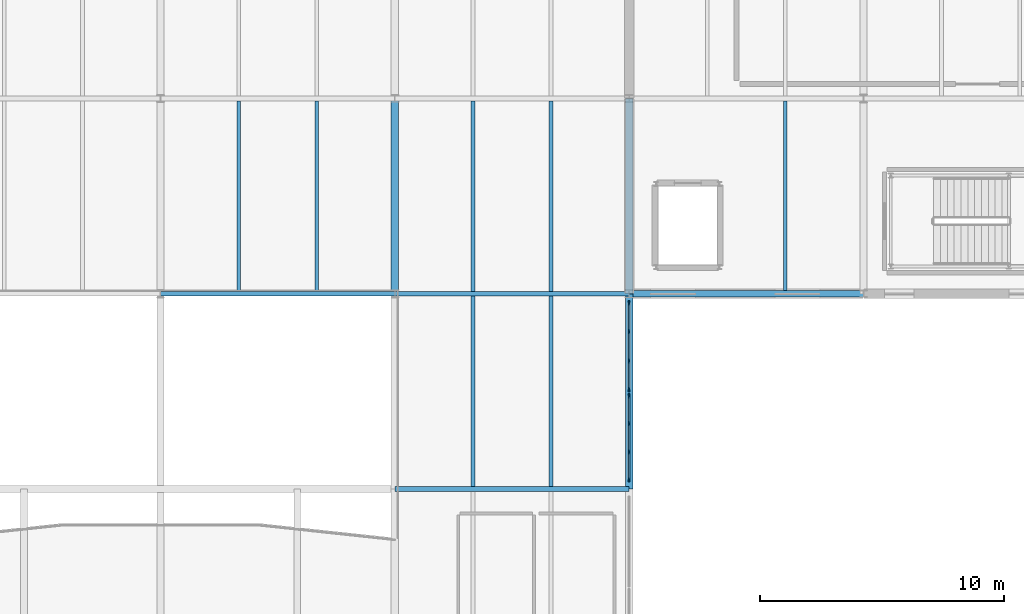
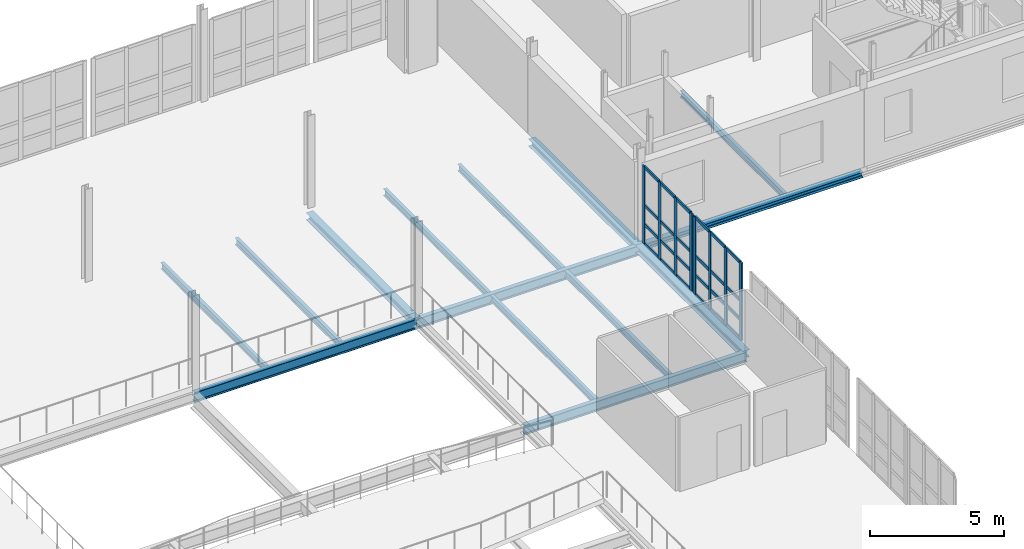
# One storey, part 35 of 73: 32 members, 14 beams, 2 elements without a shape of their own.
"""IFC4 building model written with IfcOpenShell, lengths in metres."""

from ifc_helpers import new_model, si_unit, direction, frame, origin, origin_2d, place, context, subcontext, project, spatial, rectangle, i_section, extrude, material, layer, layer_set, material_profile, profile_set, type_object, element, aggregate, save


model = new_model("IFC4")

# Units and contexts
model_context = context("Model", 3, precision=1e-05, world=origin(), true_north=direction((0.0, 1.0)))
body_context = subcontext(model_context, "Body", "Model", "MODEL_VIEW")
ifc_project = project(units=[si_unit("LENGTHUNIT", "METRE"), si_unit("AREAUNIT", "SQUARE_METRE"), si_unit("VOLUMEUNIT", "CUBIC_METRE"), si_unit("PLANEANGLEUNIT", "RADIAN"), si_unit("MASSUNIT", "GRAM", prefix="KILO")], contexts=[model_context])

# Site, building, storey
site_placement = place(None, origin())
site = spatial("IfcSite", under=ifc_project, at=site_placement, CompositionType="ELEMENT")
building_placement = place(site_placement, origin())
building = spatial("IfcBuilding", under=site, at=building_placement, Name="Alderhovde Museum", CompositionType="ELEMENT")
storey_placement = place(building_placement, frame((0.0, 0.0, 12.89990234375)))
storey = spatial("IfcBuildingStorey", under=building, at=storey_placement, Name="L03", CompositionType="ELEMENT", Elevation=12.89990234375)

# Beams
ifc_material_1 = material(Name="Steel S355J2", Category="steel")
ifc_material_profile_1 = material_profile(ifc_material_1, i_section(OverallWidth=0.300048828125, OverallDepth=0.330078125, WebThickness=0.009521484375, FlangeThickness=0.0166015625, FilletRadius=0.027099609375, at=origin_2d()), Name="HEA 340")
ifc_profile_set_1 = profile_set([ifc_material_profile_1], Name="Steel S355J2")
beam_type_1 = type_object("IfcBeamType", Name="BM-HEA340", PredefinedType="BEAM", material=ifc_profile_set_1)
for number, where, z_axis, x_axis, name in (
    (1, (105.60009765625, 72.0, -0.4248046875), (0.0, 1.0, 0.0), (-1.0, 0.0, 0.0), "L03 Grid Beam X=105.6 (72.0 TO 80.0)"),
    (2, (115.199951171875, 64.0, -0.4248046875), (0.0, 1.0, 0.0), (-1.0, 0.0, 0.0), "L03 Grid Beam X=115.2 (64.0 TO 72.0)"),
    (3, (115.199951171875, 72.0, -0.4248046875), (0.0, 1.0, 0.0), (-1.0, 0.0, 0.0), "L03 Grid Beam X=115.2 (72.0 TO 80.0)"),
):
    element("IfcBeam", number, at=place(storey_placement, frame(where, z_axis=z_axis, x_axis=x_axis)), inside=storey, type_object=beam_type_1, Name=name, PredefinedType="BEAM", context=body_context, shape_type="SweptSolid", body=[
        extrude(i_section(OverallWidth=0.300048828125, OverallDepth=0.330078125, WebThickness=0.009521484375, FlangeThickness=0.0166015625, FilletRadius=0.027099609375, at=origin_2d()), origin(), (0.0, 0.0, 1.0), 8.0),
    ])
ifc_material_2 = material(Name="Steel S355J2", Category="steel")
ifc_material_profile_2 = material_profile(ifc_material_2, i_section(OverallWidth=0.18994140625, OverallDepth=0.449951171875, WebThickness=0.009521484375, FlangeThickness=0.0146484375, FilletRadius=0.02099609375, at=origin_2d()), Name="IPE 450")
ifc_profile_set_2 = profile_set([ifc_material_profile_2], Name="Steel S355J2")
beam_type_2 = type_object("IfcBeamType", Name="BM-IPE450", PredefinedType="BEAM", material=ifc_profile_set_2)
beam_1_placement = place(storey_placement, frame((105.60009765625, 64.0, -0.48486328125), z_axis=(1.0, 0.0, 0.0), x_axis=(0.0, 1.0, 0.0)))
element("IfcBeam", 4, at=beam_1_placement, inside=storey, type_object=beam_type_2, Name="L03 Grid Beam Y=64.0 (105.6 TO 115.2)", PredefinedType="BEAM", context=body_context, shape_type="SweptSolid", body=[
    extrude(i_section(OverallWidth=0.18994140625, OverallDepth=0.449951171875, WebThickness=0.009521484375, FlangeThickness=0.0146484375, FilletRadius=0.02099609375, at=origin_2d()), origin(), (0.0, 0.0, 1.0), 9.599853515625),
])
beam_2_placement = place(storey_placement, frame((96.0, 72.0, -0.48486328125), z_axis=(1.0, 0.0, 0.0), x_axis=(0.0, 1.0, 0.0)))
element("IfcBeam", 5, at=beam_2_placement, inside=storey, type_object=beam_type_2, Name="L03 Grid Beam Y=72.0 (96.0 TO 105.6)", PredefinedType="BEAM", context=body_context, shape_type="SweptSolid", body=[
    extrude(i_section(OverallWidth=0.18994140625, OverallDepth=0.449951171875, WebThickness=0.009521484375, FlangeThickness=0.0146484375, FilletRadius=0.02099609375, at=origin_2d()), origin(), (0.0, 0.0, 1.0), 9.60009765625),
])
beam_3_placement = place(storey_placement, frame((105.60009765625, 72.0, -0.48486328125), z_axis=(1.0, 0.0, 0.0), x_axis=(0.0, 1.0, 0.0)))
element("IfcBeam", 6, at=beam_3_placement, inside=storey, type_object=beam_type_2, Name="L03 Grid Beam Y=72.0 (105.6 TO 115.2)", PredefinedType="BEAM", context=body_context, shape_type="SweptSolid", body=[
    extrude(i_section(OverallWidth=0.18994140625, OverallDepth=0.449951171875, WebThickness=0.009521484375, FlangeThickness=0.0146484375, FilletRadius=0.02099609375, at=origin_2d()), origin(), (0.0, 0.0, 1.0), 9.599853515625),
])

# Curtain wall, members
ifc_material_3 = material(Name="Triple-Glazed Bronze-Anodised Curtain Wall", Category="glass")
ifc_layer_1 = layer(ifc_material_3, 0.179931640625)
ifc_layer_set_1 = layer_set([ifc_layer_1], Name="Triple-Glazed Bronze-Anodised Curtain Wall")
curtain_wall_type_1 = type_object("IfcCurtainWallType", Name="CW-UNIT-350x354", PredefinedType="USERDEFINED", material=ifc_layer_set_1)
curtain_wall_1_placement = place(storey_placement, origin())
curtain_wall_1 = element("IfcCurtainWall", 7, at=curtain_wall_1_placement, inside=storey, type_object=curtain_wall_type_1, Name="L03 Unitised Curtain Wall 76", ObjectType="UNITISED CURTAIN WALL", PredefinedType="USERDEFINED")
ifc_material_4 = material(Name="Bronze-Anodised Aluminium EN AW-6063-T6", Category="aluminium")
ifc_material_profile_3 = material_profile(ifc_material_4, rectangle(XDim=0.06494140625, YDim=0.179931640625, at=origin_2d()), Name="MULLION 65x180")
ifc_profile_set_3 = profile_set([ifc_material_profile_3], Name="Bronze-Anodised Aluminium EN AW-6063-T6")
member_type_1 = type_object("IfcMemberType", Name="CWM-65x180", PredefinedType="MULLION", material=ifc_profile_set_3)
member_1_placement = place(storey_placement, frame((115.199951171875, 64.382568359375, 0.0), z_axis=(0.0, 0.0, 1.0), x_axis=(-1.0, 0.0, 0.0)))
member_1 = element("IfcMember", 8, at=member_1_placement, type_object=member_type_1, Name="CW19 mullion 1", PredefinedType="MULLION", context=body_context, shape_type="SweptSolid", body=[
    extrude(rectangle(XDim=0.06494140625, YDim=0.179931640625, at=origin_2d()), origin(), (0.0, 0.0, 1.0), 3.5400390625),
])
member_2_placement = place(storey_placement, frame((115.199951171875, 65.5166015625, 0.0), z_axis=(0.0, 0.0, 1.0), x_axis=(-1.0, 0.0, 0.0)))
member_2 = element("IfcMember", 9, at=member_2_placement, type_object=member_type_1, Name="CW19 mullion 2", PredefinedType="MULLION", context=body_context, shape_type="SweptSolid", body=[
    extrude(rectangle(XDim=0.06494140625, YDim=0.179931640625, at=origin_2d()), origin(), (0.0, 0.0, 1.0), 3.5400390625),
])
member_3_placement = place(storey_placement, frame((115.199951171875, 66.683349609375, 0.0), z_axis=(0.0, 0.0, 1.0), x_axis=(-1.0, 0.0, 0.0)))
member_3 = element("IfcMember", 10, at=member_3_placement, type_object=member_type_1, Name="CW19 mullion 3", PredefinedType="MULLION", context=body_context, shape_type="SweptSolid", body=[
    extrude(rectangle(XDim=0.06494140625, YDim=0.179931640625, at=origin_2d()), origin(), (0.0, 0.0, 1.0), 3.5400390625),
])
member_4_placement = place(storey_placement, frame((115.199951171875, 67.8173828125, 0.0), z_axis=(0.0, 0.0, 1.0), x_axis=(-1.0, 0.0, 0.0)))
member_4 = element("IfcMember", 11, at=member_4_placement, type_object=member_type_1, Name="CW19 mullion 4", PredefinedType="MULLION", context=body_context, shape_type="SweptSolid", body=[
    extrude(rectangle(XDim=0.06494140625, YDim=0.179931640625, at=origin_2d()), origin(), (0.0, 0.0, 1.0), 3.5400390625),
])

ifc_material_5 = material(Name="Triple-Glazed Bronze-Anodised Curtain Wall", Category="glass")
ifc_layer_2 = layer(ifc_material_5, 0.179931640625)
ifc_layer_set_2 = layer_set([ifc_layer_2], Name="Triple-Glazed Bronze-Anodised Curtain Wall")
curtain_wall_type_2 = type_object("IfcCurtainWallType", Name="CW-UNIT-360x354", PredefinedType="USERDEFINED", material=ifc_layer_set_2)
curtain_wall_2_placement = place(storey_placement, origin())
curtain_wall_2 = element("IfcCurtainWall", 12, at=curtain_wall_2_placement, inside=storey, type_object=curtain_wall_type_2, Name="L03 Unitised Curtain Wall 77", ObjectType="UNITISED CURTAIN WALL", PredefinedType="USERDEFINED")
member_5_placement = place(storey_placement, frame((115.199951171875, 68.08251953125, 0.0), z_axis=(0.0, 0.0, 1.0), x_axis=(-1.0, 0.0, 0.0)))
member_5 = element("IfcMember", 13, at=member_5_placement, type_object=member_type_1, Name="CW20 mullion 1", PredefinedType="MULLION", context=body_context, shape_type="SweptSolid", body=[
    extrude(rectangle(XDim=0.06494140625, YDim=0.179931640625, at=origin_2d()), origin(), (0.0, 0.0, 1.0), 3.5400390625),
])
member_6_placement = place(storey_placement, frame((115.199951171875, 69.25, 0.0), z_axis=(0.0, 0.0, 1.0), x_axis=(-1.0, 0.0, 0.0)))
member_6 = element("IfcMember", 14, at=member_6_placement, type_object=member_type_1, Name="CW20 mullion 2", PredefinedType="MULLION", context=body_context, shape_type="SweptSolid", body=[
    extrude(rectangle(XDim=0.06494140625, YDim=0.179931640625, at=origin_2d()), origin(), (0.0, 0.0, 1.0), 3.5400390625),
])
member_7_placement = place(storey_placement, frame((115.199951171875, 70.449951171875, 0.0), z_axis=(0.0, 0.0, 1.0), x_axis=(-1.0, 0.0, 0.0)))
member_7 = element("IfcMember", 15, at=member_7_placement, type_object=member_type_1, Name="CW20 mullion 3", PredefinedType="MULLION", context=body_context, shape_type="SweptSolid", body=[
    extrude(rectangle(XDim=0.06494140625, YDim=0.179931640625, at=origin_2d()), origin(), (0.0, 0.0, 1.0), 3.5400390625),
])
member_8_placement = place(storey_placement, frame((115.199951171875, 71.617431640625, 0.0), z_axis=(0.0, 0.0, 1.0), x_axis=(-1.0, 0.0, 0.0)))
member_8 = element("IfcMember", 16, at=member_8_placement, type_object=member_type_1, Name="CW20 mullion 4", PredefinedType="MULLION", context=body_context, shape_type="SweptSolid", body=[
    extrude(rectangle(XDim=0.06494140625, YDim=0.179931640625, at=origin_2d()), origin(), (0.0, 0.0, 1.0), 3.5400390625),
])

# Member
ifc_material_6 = material(Name="Bronze-Anodised Aluminium EN AW-6063-T6", Category="aluminium")
ifc_material_profile_4 = material_profile(ifc_material_6, rectangle(XDim=0.06494140625, YDim=0.139892578125, at=origin_2d()), Name="TRANSOM 65x140")
ifc_profile_set_4 = profile_set([ifc_material_profile_4], Name="Bronze-Anodised Aluminium EN AW-6063-T6")
member_type_2 = type_object("IfcMemberType", Name="CWT-65x140", PredefinedType="USERDEFINED", material=ifc_profile_set_4)
member_9_placement = place(storey_placement, frame((115.199951171875, 64.4150390625, 0.03271484375), z_axis=(0.0, 1.0, 0.0), x_axis=(-1.0, 0.0, 0.0)))
member_9 = element("IfcMember", 17, at=member_9_placement, type_object=member_type_2, Name="CW19 transom 1.1", ObjectType="TRANSOM", PredefinedType="USERDEFINED", context=body_context, shape_type="SweptSolid", body=[
    extrude(rectangle(XDim=0.06494140625, YDim=0.139892578125, at=origin_2d()), origin(), (0.0, 0.0, 1.0), 1.069091796875),
])

member_10_placement = place(storey_placement, frame((115.199951171875, 64.4150390625, 0.900146484375), z_axis=(0.0, 1.0, 0.0), x_axis=(-1.0, 0.0, 0.0)))
member_10 = element("IfcMember", 18, at=member_10_placement, type_object=member_type_2, Name="CW19 transom 1.2", ObjectType="TRANSOM", PredefinedType="USERDEFINED", context=body_context, shape_type="SweptSolid", body=[
    extrude(rectangle(XDim=0.06494140625, YDim=0.139892578125, at=origin_2d()), origin(), (0.0, 0.0, 1.0), 1.069091796875),
])

member_11_placement = place(storey_placement, frame((115.199951171875, 64.4150390625, 1.77001953125), z_axis=(0.0, 1.0, 0.0), x_axis=(-1.0, 0.0, 0.0)))
member_11 = element("IfcMember", 19, at=member_11_placement, type_object=member_type_2, Name="CW19 transom 1.3", ObjectType="TRANSOM", PredefinedType="USERDEFINED", context=body_context, shape_type="SweptSolid", body=[
    extrude(rectangle(XDim=0.06494140625, YDim=0.139892578125, at=origin_2d()), origin(), (0.0, 0.0, 1.0), 1.069091796875),
])

member_12_placement = place(storey_placement, frame((115.199951171875, 64.4150390625, 3.507568359375), z_axis=(0.0, 1.0, 0.0), x_axis=(-1.0, 0.0, 0.0)))
member_12 = element("IfcMember", 20, at=member_12_placement, type_object=member_type_2, Name="CW19 transom 1.4", ObjectType="TRANSOM", PredefinedType="USERDEFINED", context=body_context, shape_type="SweptSolid", body=[
    extrude(rectangle(XDim=0.06494140625, YDim=0.139892578125, at=origin_2d()), origin(), (0.0, 0.0, 1.0), 1.069091796875),
])

member_13_placement = place(storey_placement, frame((115.199951171875, 65.549072265625, 0.03271484375), z_axis=(0.0, 1.0, 0.0), x_axis=(-1.0, 0.0, 0.0)))
member_13 = element("IfcMember", 21, at=member_13_placement, type_object=member_type_2, Name="CW19 transom 2.1", ObjectType="TRANSOM", PredefinedType="USERDEFINED", context=body_context, shape_type="SweptSolid", body=[
    extrude(rectangle(XDim=0.06494140625, YDim=0.139892578125, at=origin_2d()), origin(), (0.0, 0.0, 1.0), 1.101806640625),
])

member_14_placement = place(storey_placement, frame((115.199951171875, 65.549072265625, 0.900146484375), z_axis=(0.0, 1.0, 0.0), x_axis=(-1.0, 0.0, 0.0)))
member_14 = element("IfcMember", 22, at=member_14_placement, type_object=member_type_2, Name="CW19 transom 2.2", ObjectType="TRANSOM", PredefinedType="USERDEFINED", context=body_context, shape_type="SweptSolid", body=[
    extrude(rectangle(XDim=0.06494140625, YDim=0.139892578125, at=origin_2d()), origin(), (0.0, 0.0, 1.0), 1.101806640625),
])

member_15_placement = place(storey_placement, frame((115.199951171875, 65.549072265625, 1.77001953125), z_axis=(0.0, 1.0, 0.0), x_axis=(-1.0, 0.0, 0.0)))
member_15 = element("IfcMember", 23, at=member_15_placement, type_object=member_type_2, Name="CW19 transom 2.3", ObjectType="TRANSOM", PredefinedType="USERDEFINED", context=body_context, shape_type="SweptSolid", body=[
    extrude(rectangle(XDim=0.06494140625, YDim=0.139892578125, at=origin_2d()), origin(), (0.0, 0.0, 1.0), 1.101806640625),
])

member_16_placement = place(storey_placement, frame((115.199951171875, 65.549072265625, 3.507568359375), z_axis=(0.0, 1.0, 0.0), x_axis=(-1.0, 0.0, 0.0)))
member_16 = element("IfcMember", 24, at=member_16_placement, type_object=member_type_2, Name="CW19 transom 2.4", ObjectType="TRANSOM", PredefinedType="USERDEFINED", context=body_context, shape_type="SweptSolid", body=[
    extrude(rectangle(XDim=0.06494140625, YDim=0.139892578125, at=origin_2d()), origin(), (0.0, 0.0, 1.0), 1.101806640625),
])

member_17_placement = place(storey_placement, frame((115.199951171875, 66.7158203125, 0.03271484375), z_axis=(0.0, 1.0, 0.0), x_axis=(-1.0, 0.0, 0.0)))
member_17 = element("IfcMember", 25, at=member_17_placement, type_object=member_type_2, Name="CW19 transom 3.1", ObjectType="TRANSOM", PredefinedType="USERDEFINED", context=body_context, shape_type="SweptSolid", body=[
    extrude(rectangle(XDim=0.06494140625, YDim=0.139892578125, at=origin_2d()), origin(), (0.0, 0.0, 1.0), 1.069091796875),
])

member_18_placement = place(storey_placement, frame((115.199951171875, 66.7158203125, 0.900146484375), z_axis=(0.0, 1.0, 0.0), x_axis=(-1.0, 0.0, 0.0)))
member_18 = element("IfcMember", 26, at=member_18_placement, type_object=member_type_2, Name="CW19 transom 3.2", ObjectType="TRANSOM", PredefinedType="USERDEFINED", context=body_context, shape_type="SweptSolid", body=[
    extrude(rectangle(XDim=0.06494140625, YDim=0.139892578125, at=origin_2d()), origin(), (0.0, 0.0, 1.0), 1.069091796875),
])

member_19_placement = place(storey_placement, frame((115.199951171875, 66.7158203125, 1.77001953125), z_axis=(0.0, 1.0, 0.0), x_axis=(-1.0, 0.0, 0.0)))
member_19 = element("IfcMember", 27, at=member_19_placement, type_object=member_type_2, Name="CW19 transom 3.3", ObjectType="TRANSOM", PredefinedType="USERDEFINED", context=body_context, shape_type="SweptSolid", body=[
    extrude(rectangle(XDim=0.06494140625, YDim=0.139892578125, at=origin_2d()), origin(), (0.0, 0.0, 1.0), 1.069091796875),
])

member_20_placement = place(storey_placement, frame((115.199951171875, 66.7158203125, 3.507568359375), z_axis=(0.0, 1.0, 0.0), x_axis=(-1.0, 0.0, 0.0)))
member_20 = element("IfcMember", 28, at=member_20_placement, type_object=member_type_2, Name="CW19 transom 3.4", ObjectType="TRANSOM", PredefinedType="USERDEFINED", context=body_context, shape_type="SweptSolid", body=[
    extrude(rectangle(XDim=0.06494140625, YDim=0.139892578125, at=origin_2d()), origin(), (0.0, 0.0, 1.0), 1.069091796875),
])

aggregate(curtain_wall_1, [member_1, member_2, member_3, member_4, member_9, member_10, member_11, member_12, member_13, member_14, member_15, member_16, member_17, member_18, member_19, member_20])

member_21_placement = place(storey_placement, frame((115.199951171875, 68.114990234375, 0.03271484375), z_axis=(0.0, 1.0, 0.0), x_axis=(-1.0, 0.0, 0.0)))
member_21 = element("IfcMember", 29, at=member_21_placement, type_object=member_type_2, Name="CW20 transom 1.1", ObjectType="TRANSOM", PredefinedType="USERDEFINED", context=body_context, shape_type="SweptSolid", body=[
    extrude(rectangle(XDim=0.06494140625, YDim=0.139892578125, at=origin_2d()), origin(), (0.0, 0.0, 1.0), 1.1025390625),
])

member_22_placement = place(storey_placement, frame((115.199951171875, 68.114990234375, 0.900146484375), z_axis=(0.0, 1.0, 0.0), x_axis=(-1.0, 0.0, 0.0)))
member_22 = element("IfcMember", 30, at=member_22_placement, type_object=member_type_2, Name="CW20 transom 1.2", ObjectType="TRANSOM", PredefinedType="USERDEFINED", context=body_context, shape_type="SweptSolid", body=[
    extrude(rectangle(XDim=0.06494140625, YDim=0.139892578125, at=origin_2d()), origin(), (0.0, 0.0, 1.0), 1.1025390625),
])

member_23_placement = place(storey_placement, frame((115.199951171875, 68.114990234375, 1.77001953125), z_axis=(0.0, 1.0, 0.0), x_axis=(-1.0, 0.0, 0.0)))
member_23 = element("IfcMember", 31, at=member_23_placement, type_object=member_type_2, Name="CW20 transom 1.3", ObjectType="TRANSOM", PredefinedType="USERDEFINED", context=body_context, shape_type="SweptSolid", body=[
    extrude(rectangle(XDim=0.06494140625, YDim=0.139892578125, at=origin_2d()), origin(), (0.0, 0.0, 1.0), 1.1025390625),
])

member_24_placement = place(storey_placement, frame((115.199951171875, 68.114990234375, 3.507568359375), z_axis=(0.0, 1.0, 0.0), x_axis=(-1.0, 0.0, 0.0)))
member_24 = element("IfcMember", 32, at=member_24_placement, type_object=member_type_2, Name="CW20 transom 1.4", ObjectType="TRANSOM", PredefinedType="USERDEFINED", context=body_context, shape_type="SweptSolid", body=[
    extrude(rectangle(XDim=0.06494140625, YDim=0.139892578125, at=origin_2d()), origin(), (0.0, 0.0, 1.0), 1.1025390625),
])

member_25_placement = place(storey_placement, frame((115.199951171875, 69.282470703125, 0.03271484375), z_axis=(0.0, 1.0, 0.0), x_axis=(-1.0, 0.0, 0.0)))
member_25 = element("IfcMember", 33, at=member_25_placement, type_object=member_type_2, Name="CW20 transom 2.1", ObjectType="TRANSOM", PredefinedType="USERDEFINED", context=body_context, shape_type="SweptSolid", body=[
    extrude(rectangle(XDim=0.06494140625, YDim=0.139892578125, at=origin_2d()), origin(), (0.0, 0.0, 1.0), 1.135009765625),
])

member_26_placement = place(storey_placement, frame((115.199951171875, 69.282470703125, 0.900146484375), z_axis=(0.0, 1.0, 0.0), x_axis=(-1.0, 0.0, 0.0)))
member_26 = element("IfcMember", 34, at=member_26_placement, type_object=member_type_2, Name="CW20 transom 2.2", ObjectType="TRANSOM", PredefinedType="USERDEFINED", context=body_context, shape_type="SweptSolid", body=[
    extrude(rectangle(XDim=0.06494140625, YDim=0.139892578125, at=origin_2d()), origin(), (0.0, 0.0, 1.0), 1.135009765625),
])

member_27_placement = place(storey_placement, frame((115.199951171875, 69.282470703125, 1.77001953125), z_axis=(0.0, 1.0, 0.0), x_axis=(-1.0, 0.0, 0.0)))
member_27 = element("IfcMember", 35, at=member_27_placement, type_object=member_type_2, Name="CW20 transom 2.3", ObjectType="TRANSOM", PredefinedType="USERDEFINED", context=body_context, shape_type="SweptSolid", body=[
    extrude(rectangle(XDim=0.06494140625, YDim=0.139892578125, at=origin_2d()), origin(), (0.0, 0.0, 1.0), 1.135009765625),
])

member_28_placement = place(storey_placement, frame((115.199951171875, 69.282470703125, 3.507568359375), z_axis=(0.0, 1.0, 0.0), x_axis=(-1.0, 0.0, 0.0)))
member_28 = element("IfcMember", 36, at=member_28_placement, type_object=member_type_2, Name="CW20 transom 2.4", ObjectType="TRANSOM", PredefinedType="USERDEFINED", context=body_context, shape_type="SweptSolid", body=[
    extrude(rectangle(XDim=0.06494140625, YDim=0.139892578125, at=origin_2d()), origin(), (0.0, 0.0, 1.0), 1.135009765625),
])

member_29_placement = place(storey_placement, frame((115.199951171875, 70.482421875, 0.03271484375), z_axis=(0.0, 1.0, 0.0), x_axis=(-1.0, 0.0, 0.0)))
member_29 = element("IfcMember", 37, at=member_29_placement, type_object=member_type_2, Name="CW20 transom 3.1", ObjectType="TRANSOM", PredefinedType="USERDEFINED", context=body_context, shape_type="SweptSolid", body=[
    extrude(rectangle(XDim=0.06494140625, YDim=0.139892578125, at=origin_2d()), origin(), (0.0, 0.0, 1.0), 1.1025390625),
])

member_30_placement = place(storey_placement, frame((115.199951171875, 70.482421875, 0.900146484375), z_axis=(0.0, 1.0, 0.0), x_axis=(-1.0, 0.0, 0.0)))
member_30 = element("IfcMember", 38, at=member_30_placement, type_object=member_type_2, Name="CW20 transom 3.2", ObjectType="TRANSOM", PredefinedType="USERDEFINED", context=body_context, shape_type="SweptSolid", body=[
    extrude(rectangle(XDim=0.06494140625, YDim=0.139892578125, at=origin_2d()), origin(), (0.0, 0.0, 1.0), 1.1025390625),
])

member_31_placement = place(storey_placement, frame((115.199951171875, 70.482421875, 1.77001953125), z_axis=(0.0, 1.0, 0.0), x_axis=(-1.0, 0.0, 0.0)))
member_31 = element("IfcMember", 39, at=member_31_placement, type_object=member_type_2, Name="CW20 transom 3.3", ObjectType="TRANSOM", PredefinedType="USERDEFINED", context=body_context, shape_type="SweptSolid", body=[
    extrude(rectangle(XDim=0.06494140625, YDim=0.139892578125, at=origin_2d()), origin(), (0.0, 0.0, 1.0), 1.1025390625),
])

member_32_placement = place(storey_placement, frame((115.199951171875, 70.482421875, 3.507568359375), z_axis=(0.0, 1.0, 0.0), x_axis=(-1.0, 0.0, 0.0)))
member_32 = element("IfcMember", 40, at=member_32_placement, type_object=member_type_2, Name="CW20 transom 3.4", ObjectType="TRANSOM", PredefinedType="USERDEFINED", context=body_context, shape_type="SweptSolid", body=[
    extrude(rectangle(XDim=0.06494140625, YDim=0.139892578125, at=origin_2d()), origin(), (0.0, 0.0, 1.0), 1.1025390625),
])

aggregate(curtain_wall_2, [member_5, member_6, member_7, member_8, member_21, member_22, member_23, member_24, member_25, member_26, member_27, member_28, member_29, member_30, member_31, member_32])

# Beams
ifc_material_7 = material(Name="Steel S355J2", Category="steel")
ifc_material_profile_5 = material_profile(ifc_material_7, i_section(OverallWidth=0.14990234375, OverallDepth=0.300048828125, WebThickness=0.007080078125, FlangeThickness=0.0107421875, FilletRadius=0.014892578125, at=origin_2d()), Name="IPE 300")
ifc_profile_set_5 = profile_set([ifc_material_profile_5], Name="Steel S355J2")
beam_type_3 = type_object("IfcBeamType", Name="JST-IPE300", PredefinedType="JOIST", material=ifc_profile_set_5)
for number, where, z_axis, x_axis, name in (
    (41, (99.199951171875, 72.094970703125, -0.409912109375), (0.0, 1.0, 0.0), (-1.0, 0.0, 0.0), "L03 Composite Joist X=99.2 (72.0 TO 80.0)"),
    (42, (102.39990234375, 72.094970703125, -0.409912109375), (0.0, 1.0, 0.0), (-1.0, 0.0, 0.0), "L03 Composite Joist X=102.4 (72.0 TO 80.0)"),
    (43, (108.800048828125, 64.094970703125, -0.409912109375), (0.0, 1.0, 0.0), (-1.0, 0.0, 0.0), "L03 Composite Joist X=108.8 (64.0 TO 72.0)"),
    (44, (112.0, 64.094970703125, -0.409912109375), (0.0, 1.0, 0.0), (-1.0, 0.0, 0.0), "L03 Composite Joist X=112.0 (64.0 TO 72.0)"),
    (45, (108.800048828125, 72.094970703125, -0.409912109375), (0.0, 1.0, 0.0), (-1.0, 0.0, 0.0), "L03 Composite Joist X=108.8 (72.0 TO 80.0)"),
    (46, (112.0, 72.094970703125, -0.409912109375), (0.0, 1.0, 0.0), (-1.0, 0.0, 0.0), "L03 Composite Joist X=112.0 (72.0 TO 80.0)"),
):
    element("IfcBeam", number, at=place(storey_placement, frame(where, z_axis=z_axis, x_axis=x_axis)), inside=storey, type_object=beam_type_3, Name=name, PredefinedType="JOIST", context=body_context, shape_type="SweptSolid", body=[
        extrude(i_section(OverallWidth=0.14990234375, OverallDepth=0.300048828125, WebThickness=0.007080078125, FlangeThickness=0.0107421875, FilletRadius=0.014892578125, at=origin_2d()), origin(), (0.0, 0.0, 1.0), 7.81005859375),
    ])
beam_4_placement = place(storey_placement, frame((121.60009765625, 72.1298828125, -0.409912109375), z_axis=(0.0, 1.0, 0.0), x_axis=(-1.0, 0.0, 0.0)))
element("IfcBeam", 47, at=beam_4_placement, inside=storey, type_object=beam_type_3, Name="L03 Composite Joist X=121.6 (72.0 TO 80.0)", PredefinedType="JOIST", context=body_context, shape_type="SweptSolid", body=[
    extrude(i_section(OverallWidth=0.14990234375, OverallDepth=0.300048828125, WebThickness=0.007080078125, FlangeThickness=0.0107421875, FilletRadius=0.014892578125, at=origin_2d()), origin(), (0.0, 0.0, 1.0), 7.775146484375),
])
ifc_material_8 = material(Name="Steel S355J2", Category="steel")
ifc_material_profile_6 = material_profile(ifc_material_8, i_section(OverallWidth=0.260009765625, OverallDepth=0.25, WebThickness=0.007568359375, FlangeThickness=0.012451171875, FilletRadius=0.02392578125, at=origin_2d()), Name="HEA 260")
ifc_profile_set_6 = profile_set([ifc_material_profile_6], Name="Steel S355J2")
beam_type_4 = type_object("IfcBeamType", Name="SPD-HEA260", PredefinedType="SPANDREL", material=ifc_profile_set_6)
beam_5_placement = place(storey_placement, frame((115.199951171875, 72.0, -0.385009765625), z_axis=(1.0, 0.0, 0.0), x_axis=(0.0, 1.0, 0.0)))
element("IfcBeam", 48, at=beam_5_placement, inside=storey, type_object=beam_type_4, Name="L03 Grid Beam Y=72.0 (115.2 TO 124.8)", PredefinedType="SPANDREL", context=body_context, shape_type="SweptSolid", body=[
    extrude(i_section(OverallWidth=0.260009765625, OverallDepth=0.25, WebThickness=0.007568359375, FlangeThickness=0.012451171875, FilletRadius=0.02392578125, at=origin_2d()), origin(), (0.0, 0.0, 1.0), 9.60009765625),
])

save(model, "model.ifc")
